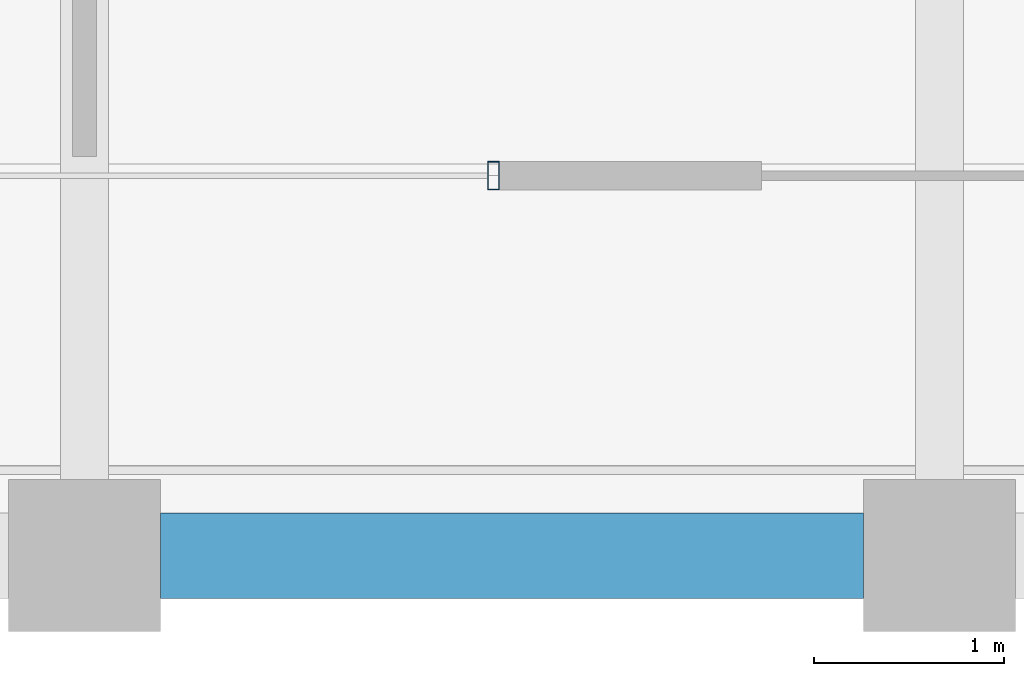
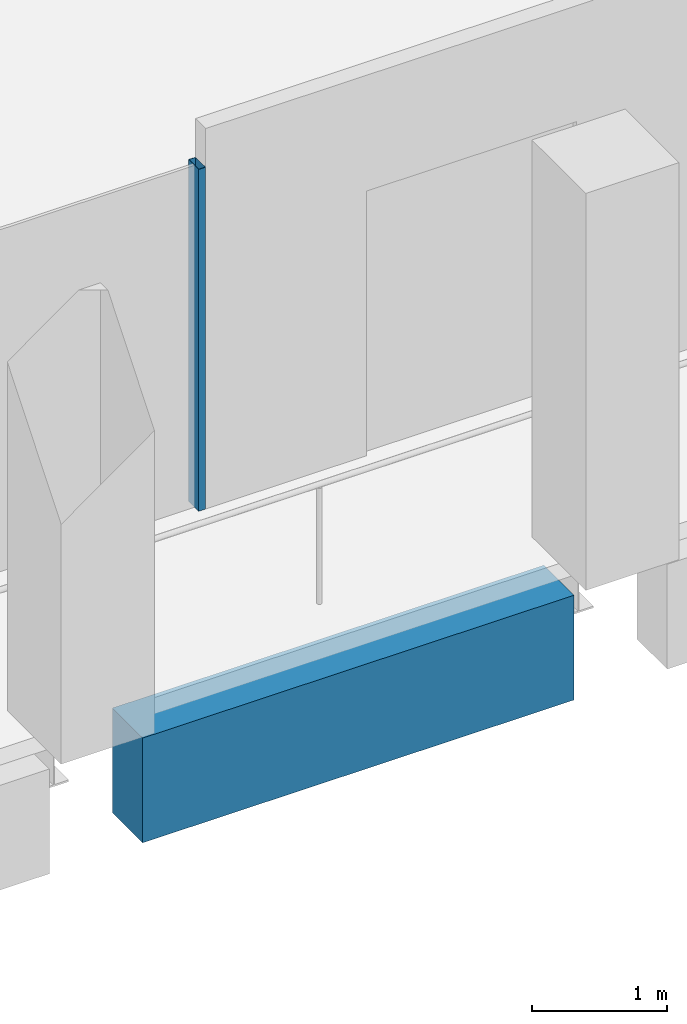
# One storey, part 7 of 30: 1 beam, 1 member, 1 element without a shape of its own.
"""IFC4 building model written with IfcOpenShell, lengths in metres."""

from ifc_helpers import new_model, si_unit, direction, frame, origin, origin_2d, place, context, subcontext, project, spatial, rectangle, hollow_rectangle, extrude, material, material_profile, profile_set, type_object, element, aggregate, save


model = new_model("IFC4")

# Units and contexts
model_context = context("Model", 3, precision=1e-05, world=origin(), true_north=direction((0.0, 1.0)))
body_context = subcontext(model_context, "Body", "Model", "MODEL_VIEW")
ifc_project = project(units=[si_unit("LENGTHUNIT", "METRE"), si_unit("AREAUNIT", "SQUARE_METRE"), si_unit("VOLUMEUNIT", "CUBIC_METRE"), si_unit("PLANEANGLEUNIT", "RADIAN"), si_unit("MASSUNIT", "GRAM", prefix="KILO")], contexts=[model_context])

# Site, building, storey
site_placement = place(None, origin())
site = spatial("IfcSite", under=ifc_project, at=site_placement, CompositionType="ELEMENT")
building_placement = place(site_placement, origin())
building = spatial("IfcBuilding", under=site, at=building_placement, Name="Altepetl Exchange Towers", CompositionType="ELEMENT")
storey_placement = place(building_placement, frame((0.0, 0.0, 238.800048828125)))
storey = spatial("IfcBuildingStorey", under=building, at=storey_placement, Name="L61", CompositionType="ELEMENT", Elevation=238.800048828125)

# Curtain wall, member
ifc_material_1 = material(Name="Aluminium 6063-T6 glazing", Category="aluminium")
curtain_wall_type = type_object("IfcCurtainWallType", Name="Loggia glazing system", PredefinedType="NOTDEFINED", material=ifc_material_1)
curtain_wall_placement = place(storey_placement, origin())
curtain_wall = element("IfcCurtainWall", 1, at=curtain_wall_placement, inside=storey, type_object=curtain_wall_type, Name="CW1 run", PredefinedType="NOTDEFINED")
ifc_material_2 = material(Name="Aluminium 6063-T6", Category="aluminium")
ifc_material_profile_1 = material_profile(ifc_material_2, hollow_rectangle(XDim=0.06005859375, YDim=0.14990234375, WallThickness=0.0029296875, at=origin_2d()), Name="Mullion 60x150 aluminium")
ifc_profile_set_1 = profile_set([ifc_material_profile_1], Name="Aluminium 6063-T6")
member_type = type_object("IfcMemberType", Name="Mullion 60x150 aluminium", PredefinedType="MULLION", material=ifc_profile_set_1)
member_placement = place(storey_placement, frame((47.152099609375, 29.0, 0.0)))
member = element("IfcMember", 2, at=member_placement, type_object=member_type, Name="MU1 mullion", PredefinedType="MULLION", context=body_context, shape_type="SweptSolid", body=[
    extrude(hollow_rectangle(XDim=0.06005859375, YDim=0.14990234375, WallThickness=0.0029296875, at=origin_2d()), origin(), (0.0, 0.0, 1.0), 3.099853515625),
])
aggregate(curtain_wall, [member])

# Beam
ifc_material_3 = material(Name="Concrete C50/60 precast with cantera blanca facing", Category="concrete")
ifc_material_profile_2 = material_profile(ifc_material_3, rectangle(XDim=0.449951171875, YDim=0.949951171875, at=origin_2d()), Name="450 x 950")
ifc_profile_set_2 = profile_set([ifc_material_profile_2], Name="Concrete C50/60 precast with cantera blanca facing")
beam_type = type_object("IfcBeamType", Name="Spandrel beam 450x950 cantera blanca", PredefinedType="SPANDREL", material=ifc_profile_set_2)
beam_placement = place(storey_placement, frame((45.39990234375, 27.0, -0.625), z_axis=(1.0, 0.0, 0.0), x_axis=(0.0, 1.0, 0.0)))
element("IfcBeam", 3, at=beam_placement, inside=storey, type_object=beam_type, Name="sp:A:L61:003", PredefinedType="SPANDREL", context=body_context, shape_type="SweptSolid", body=[
    extrude(rectangle(XDim=0.449951171875, YDim=0.949951171875, at=origin_2d()), origin(), (0.0, 0.0, 1.0), 3.7001953125),
])

save(model, "model.ifc")
